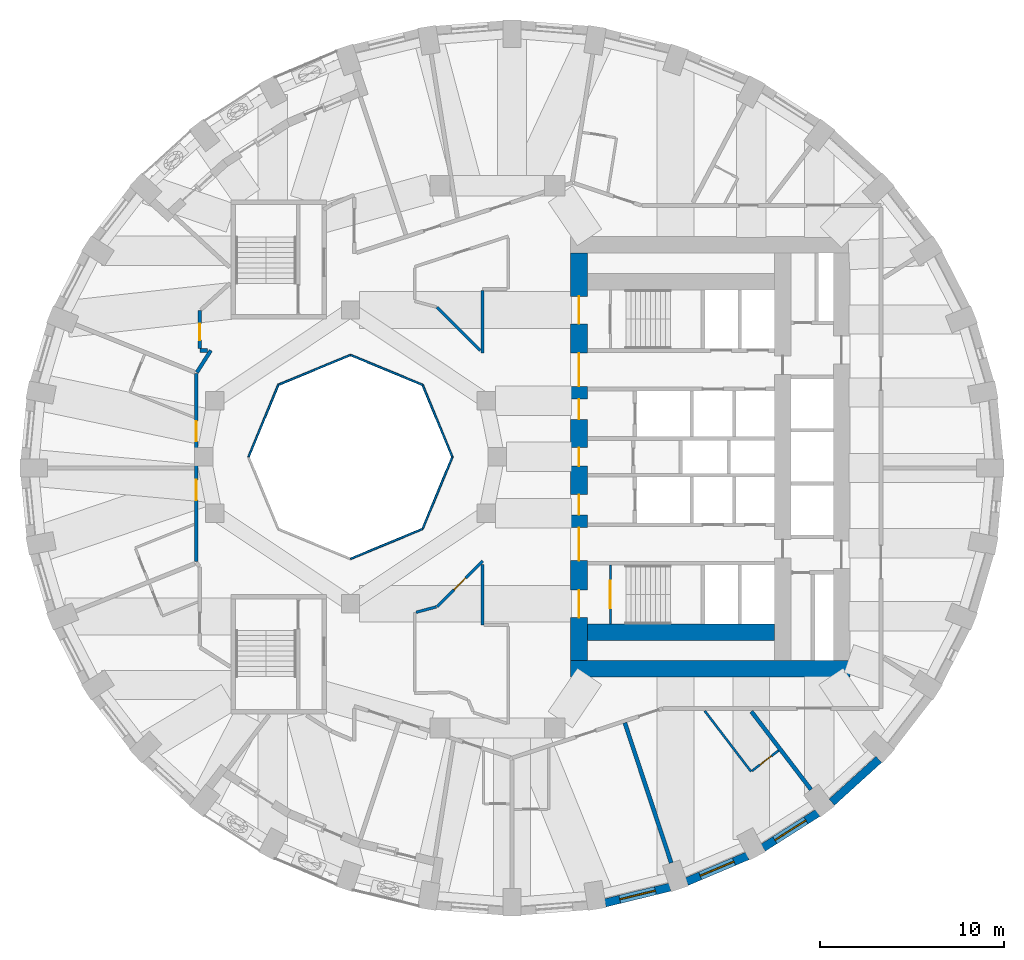
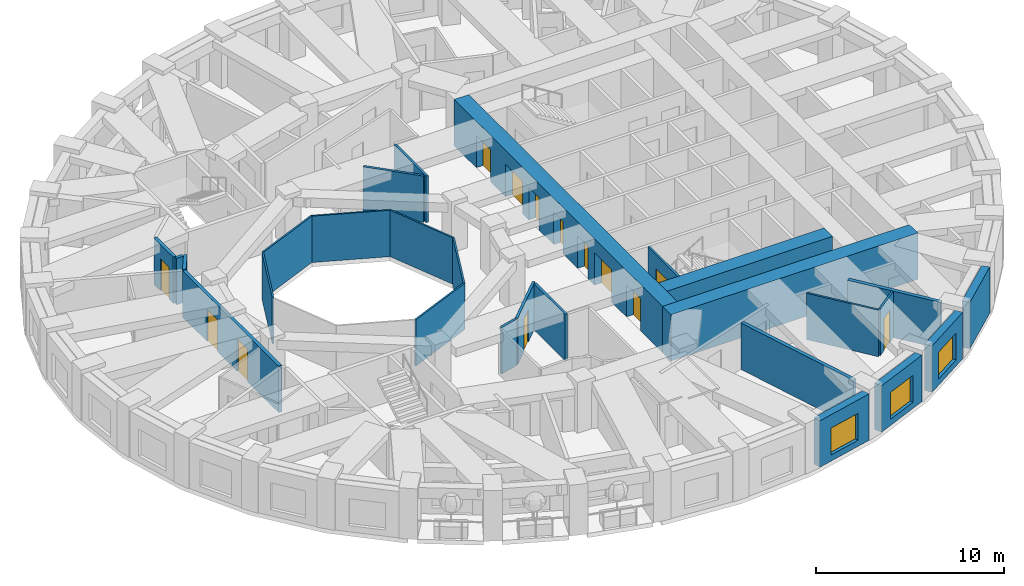
# One storey, part 5 of 12: 27 walls, 13 doors, 3 windows, 16 openings.
"""IFC4 building model written with IfcOpenShell, lengths in metres."""

from ifc_helpers import new_model, si_unit, direction, frame, frame_2d, origin, place, context, subcontext, project, spatial, rectangle, extrude, material, layer, layer_set, type_object, element, fill, save


model = new_model("IFC4")

# Units and contexts
model_context = context("Model", 3, precision=1e-05, world=origin(), true_north=direction((0.0, 1.0)))
body_context = subcontext(model_context, "Body", "Model", "MODEL_VIEW")
ifc_project = project(units=[si_unit("LENGTHUNIT", "METRE"), si_unit("AREAUNIT", "SQUARE_METRE"), si_unit("VOLUMEUNIT", "CUBIC_METRE"), si_unit("PLANEANGLEUNIT", "RADIAN"), si_unit("MASSUNIT", "GRAM", prefix="KILO")], contexts=[model_context])

# Site, building, storey
site_placement = place(None, origin())
site = spatial("IfcSite", under=ifc_project, at=site_placement, CompositionType="ELEMENT")
building_placement = place(site_placement, origin())
building = spatial("IfcBuilding", under=site, at=building_placement, Name="Taillehof Tower", CompositionType="ELEMENT")
storey_placement = place(building_placement, frame((0.0, 0.0, 121.89990234375)))
storey = spatial("IfcBuildingStorey", under=building, at=storey_placement, Name="L34", CompositionType="ELEMENT", Elevation=121.89990234375)

# Walls
ifc_material_1 = material(Name="Fire-resisting glass in steel frame", Category="steel")
ifc_layer_1 = layer(ifc_material_1, 0.10009765625)
ifc_layer_set_1 = layer_set([ifc_layer_1], Name="Atrium fire-resisting screen EI 60 100")
wall_type_1 = type_object("IfcWallType", Name="Atrium fire-resisting screen EI 60 100", PredefinedType="PARTITIONING", material=ifc_layer_set_1)
for number, where, z_axis, x_axis, name in (
    (1, (-2.44580078125, 0.0, 0.0), (0.0, 0.0, 1.0), (-0.382730523909, -0.923860025149, 0.0), "Atrium screen"),
    (2, (-4.07275390625, -3.92724609375, 0.0), (0.0, 0.0, 1.0), (-0.923860025149, -0.382730523909, 0.0), "Atrium screen"),
    (3, (-13.55419921875, 0.0, 0.0), (0.0, 0.0, 1.0), (0.382730523909, 0.923860025149, 0.0), "Atrium screen"),
    (4, (-11.92724609375, 3.92724609375, 0.0), (0.0, 0.0, 1.0), (0.923860025149, 0.382730523909, 0.0), "Atrium screen"),
    (5, (-8.0, 5.55419921875, 0.0), (0.0, 0.0, 1.0), (0.923860025149, -0.382730523909, 0.0), "Atrium screen"),
    (6, (-4.07275390625, 3.92724609375, 0.0), (0.0, 0.0, 1.0), (0.382730523909, -0.923860025149, 0.0), "Atrium screen"),
):
    element("IfcWall", number, at=place(storey_placement, frame(where, z_axis=z_axis, x_axis=x_axis)), inside=storey, type_object=wall_type_1, Name=name, PredefinedType="PARTITIONING", context=body_context, shape_type="SweptSolid", body=[
        extrude(rectangle(XDim=4.2509765625, YDim=0.10009765625, at=frame_2d((2.12548828125, 0.0))), origin(), (0.0, 0.0, 1.0), 3.02001953125),
    ])

# Wall, opening, window
ifc_material_2 = material(Name="Brick masonry", Category="masonry")
ifc_layer_2 = layer(ifc_material_2, 0.449951171875)
ifc_layer_set_2 = layer_set([ifc_layer_2], Name="Brick infill wall 450")
wall_type_2 = type_object("IfcWallType", Name="Brick infill wall 450", PredefinedType="SOLIDWALL", material=ifc_layer_set_2)
wall_1_placement = place(storey_placement, frame((5.87451171875, -24.29443359375, 0.0), z_axis=(0.0, 0.0, 1.0), x_axis=(0.971667603162, 0.236351579148, 0.0)))
wall_1 = element("IfcWall", 7, at=wall_1_placement, inside=storey, type_object=wall_type_2, Name="Brick wall L34 bay 29", PredefinedType="SOLIDWALL", context=body_context, shape_type="SweptSolid", body=[
    extrude(rectangle(XDim=3.635009765625, YDim=0.449951171875, at=frame_2d((1.8173828125, 0.0))), origin(), (0.0, 0.0, 1.0), 3.02001953125),
])
opening_1_placement = place(wall_1_placement, frame((0.8173828125, 0.0, 0.39990234375)))
opening_1 = element("IfcOpeningElement", 8, at=opening_1_placement, cuts=wall_1, Name="Opening W2", PredefinedType="OPENING", context=body_context, shape_type="SweptSolid", body=[
    extrude(rectangle(XDim=2.0, YDim=1.75, at=frame_2d((1.0, 0.875))), frame((0.0, 0.23486328125, 0.0), z_axis=(0.0, -1.0, 0.0), x_axis=(1.0, 0.0, 0.0)), (0.0, 0.0, 1.0), 0.469970703125),
])
ifc_material_3 = material(Name="Aluminium window frame with clear double glazing", Category="aluminium")
window_type = type_object("IfcWindowType", Name="Deep-set window 2000x1750", PartitioningType="SINGLE_PANEL", PredefinedType="WINDOW", material=ifc_material_3)
window_1_placement = place(opening_1_placement, origin())
window_1 = element("IfcWindow", 9, at=window_1_placement, inside=storey, type_object=window_type, Name="W2", OverallHeight=1.75, OverallWidth=2.0, PartitioningType="SINGLE_PANEL", PredefinedType="WINDOW", context=body_context, shape_type="SweptSolid", body=[
    extrude(rectangle(XDim=2.0, YDim=1.75, at=frame_2d((1.0, 0.875))), frame((0.0, 0.034912109375, 0.0), z_axis=(0.0, -1.0, 0.0), x_axis=(1.0, 0.0, 0.0)), (0.0, 0.0, 1.0), 0.06005859375),
])
fill(opening_1, window_1)

wall_2_placement = place(storey_placement, frame((10.318115234375, -23.133544921875, 0.0), z_axis=(0.0, 0.0, 1.0), x_axis=(0.920869643542, 0.389870619055, 0.0)))
wall_2 = element("IfcWall", 10, at=wall_2_placement, inside=storey, type_object=wall_type_2, Name="Brick wall L34 bay 30", PredefinedType="SOLIDWALL", context=body_context, shape_type="SweptSolid", body=[
    extrude(rectangle(XDim=3.59130859375, YDim=0.449951171875, at=frame_2d((1.795654296875, 0.0))), origin(), (0.0, 0.0, 1.0), 3.02001953125),
])
opening_2_placement = place(wall_2_placement, frame((0.795654296875, 0.0, 0.39990234375)))
opening_2 = element("IfcOpeningElement", 11, at=opening_2_placement, cuts=wall_2, Name="Opening W2", PredefinedType="OPENING", context=body_context, shape_type="SweptSolid", body=[
    extrude(rectangle(XDim=2.0, YDim=1.75, at=frame_2d((1.0, 0.875))), frame((0.0, 0.23486328125, 0.0), z_axis=(0.0, -1.0, 0.0), x_axis=(1.0, 0.0, 0.0)), (0.0, 0.0, 1.0), 0.469970703125),
])
window_2_placement = place(opening_2_placement, origin())
window_2 = element("IfcWindow", 12, at=window_2_placement, inside=storey, type_object=window_type, Name="W2", OverallHeight=1.75, OverallWidth=2.0, PartitioningType="SINGLE_PANEL", PredefinedType="WINDOW", context=body_context, shape_type="SweptSolid", body=[
    extrude(rectangle(XDim=2.0, YDim=1.75, at=frame_2d((1.0, 0.875))), frame((0.0, 0.034912109375, 0.0), z_axis=(0.0, -1.0, 0.0), x_axis=(1.0, 0.0, 0.0)), (0.0, 0.0, 1.0), 0.06005859375),
])
fill(opening_2, window_2)

wall_3_placement = place(storey_placement, frame((14.475341796875, -21.287109375, 0.0), z_axis=(0.0, 0.0, 1.0), x_axis=(0.843911841423, 0.536481876587, 0.0)))
wall_3 = element("IfcWall", 13, at=wall_3_placement, inside=storey, type_object=wall_type_2, Name="Brick wall L34 bay 31", PredefinedType="SOLIDWALL", context=body_context, shape_type="SweptSolid", body=[
    extrude(rectangle(XDim=3.5322265625, YDim=0.449951171875, at=frame_2d((1.76611328125, 0.0))), origin(), (0.0, 0.0, 1.0), 3.02001953125),
])
opening_3_placement = place(wall_3_placement, frame((0.76611328125, 0.0, 0.39990234375)))
opening_3 = element("IfcOpeningElement", 14, at=opening_3_placement, cuts=wall_3, Name="Opening W2", PredefinedType="OPENING", context=body_context, shape_type="SweptSolid", body=[
    extrude(rectangle(XDim=2.0, YDim=1.75, at=frame_2d((1.0, 0.875))), frame((0.0, 0.23486328125, 0.0), z_axis=(0.0, -1.0, 0.0), x_axis=(1.0, 0.0, 0.0)), (0.0, 0.0, 1.0), 0.469970703125),
])
window_3_placement = place(opening_3_placement, origin())
window_3 = element("IfcWindow", 15, at=window_3_placement, inside=storey, type_object=window_type, Name="W2", OverallHeight=1.75, OverallWidth=2.0, PartitioningType="SINGLE_PANEL", PredefinedType="WINDOW", context=body_context, shape_type="SweptSolid", body=[
    extrude(rectangle(XDim=2.0, YDim=1.75, at=frame_2d((1.0, 0.875))), frame((0.0, 0.034912109375, 0.0), z_axis=(0.0, -1.0, 0.0), x_axis=(1.0, 0.0, 0.0)), (0.0, 0.0, 1.0), 0.06005859375),
])
fill(opening_3, window_3)

# Wall
wall_4_placement = place(storey_placement, frame((18.219482421875, -18.8095703125, 0.0), z_axis=(0.0, 0.0, 1.0), x_axis=(0.740364106106, 0.672206062446, 0.0)))
element("IfcWall", 16, at=wall_4_placement, inside=storey, type_object=wall_type_2, Name="Brick wall L34 bay 32", PredefinedType="SOLIDWALL", context=body_context, shape_type="SweptSolid", body=[
    extrude(rectangle(XDim=3.4638671875, YDim=0.449951171875, at=frame_2d((1.73193359375, 0.0))), origin(), (0.0, 0.0, 1.0), 3.02001953125),
])

# Wall, openings, doors
ifc_material_4 = material(Name="Gypsum board on steel studs, two layers each side", Category="steel")
ifc_layer_3 = layer(ifc_material_4, 0.199951171875)
ifc_layer_set_3 = layer_set([ifc_layer_3], Name="Compartment wall corridor 200")
wall_type_3 = type_object("IfcWallType", Name="Compartment wall corridor 200", PredefinedType="PARTITIONING", material=ifc_layer_set_3)
wall_5_placement = place(storey_placement, frame((-16.398193359375, -5.69287109375, 0.0), z_axis=(0.0, 0.0, 1.0), x_axis=(0.0, 1.0, 0.0)))
wall_5 = element("IfcWall", 17, at=wall_5_placement, inside=storey, type_object=wall_type_3, Name="Compartment wall", PredefinedType="PARTITIONING", context=body_context, shape_type="SweptSolid", body=[
    extrude(rectangle(XDim=10.245849609375, YDim=0.199951171875, at=frame_2d((5.123046875, 0.0))), origin(), (0.0, 0.0, 1.0), 3.02001953125),
])
opening_4_placement = place(wall_5_placement, frame((6.53857421875, 0.0, 0.0)))
opening_4 = element("IfcOpeningElement", 18, at=opening_4_placement, cuts=wall_5, Name="Opening D3448", PredefinedType="OPENING", context=body_context, shape_type="SweptSolid", body=[
    extrude(rectangle(XDim=1.10009765625, YDim=2.10009765625, at=frame_2d((0.550048828125, 1.050048828125))), frame((0.0, 0.10986328125, 0.0), z_axis=(0.0, -1.0, 0.0), x_axis=(1.0, 0.0, 0.0)), (0.0, 0.0, 1.0), 0.219970703125),
])
opening_5_placement = place(wall_5_placement, frame((3.33740234375, 0.0, 0.0)))
opening_5 = element("IfcOpeningElement", 19, at=opening_5_placement, cuts=wall_5, Name="Opening D3450", PredefinedType="OPENING", context=body_context, shape_type="SweptSolid", body=[
    extrude(rectangle(XDim=1.10009765625, YDim=2.10009765625, at=frame_2d((0.550048828125, 1.050048828125))), frame((0.0, 0.10986328125, 0.0), z_axis=(0.0, -1.0, 0.0), x_axis=(1.0, 0.0, 0.0)), (0.0, 0.0, 1.0), 0.219970703125),
])
ifc_material_5 = material(Name="Timber door leaf in steel frame", Category="steel")
door_type_1 = type_object("IfcDoorType", Name="Accessible guest room door EI 30 1100 x 2100", OperationType="SINGLE_SWING_LEFT", PredefinedType="DOOR", material=ifc_material_5)
door_1_placement = place(opening_4_placement, origin())
door_1 = element("IfcDoor", 20, at=door_1_placement, inside=storey, type_object=door_type_1, Name="D3448", OperationType="SINGLE_SWING_RIGHT", OverallHeight=2.10009765625, OverallWidth=1.10009765625, PredefinedType="DOOR", context=body_context, shape_type="SweptSolid", body=[
    extrude(rectangle(XDim=1.10009765625, YDim=2.10009765625, at=frame_2d((0.550048828125, 1.050048828125))), frame((0.0, 0.02490234375, 0.0), z_axis=(0.0, -1.0, 0.0), x_axis=(1.0, 0.0, 0.0)), (0.0, 0.0, 1.0), 0.050048828125),
])
fill(opening_4, door_1)
ifc_material_6 = material(Name="Timber door leaf in steel frame", Category="steel")
door_type_2 = type_object("IfcDoorType", Name="Suite entrance door EI 30 1100 x 2100", OperationType="SINGLE_SWING_LEFT", PredefinedType="DOOR", material=ifc_material_6)
door_2_placement = place(opening_5_placement, origin())
door_2 = element("IfcDoor", 21, at=door_2_placement, inside=storey, type_object=door_type_2, Name="D3450", OperationType="SINGLE_SWING_RIGHT", OverallHeight=2.10009765625, OverallWidth=1.10009765625, PredefinedType="DOOR", context=body_context, shape_type="SweptSolid", body=[
    extrude(rectangle(XDim=1.10009765625, YDim=2.10009765625, at=frame_2d((0.550048828125, 1.050048828125))), frame((0.0, 0.02490234375, 0.0), z_axis=(0.0, -1.0, 0.0), x_axis=(1.0, 0.0, 0.0)), (0.0, 0.0, 1.0), 0.050048828125),
])
fill(opening_5, door_2)

# Walls
wall_6_placement = place(storey_placement, frame((-16.365966796875, 4.603515625, 0.0), z_axis=(0.0, 0.0, 1.0), x_axis=(0.536775234189, 0.843725279911, 0.0)))
element("IfcWall", 22, at=wall_6_placement, inside=storey, type_object=wall_type_3, Name="Compartment wall", PredefinedType="PARTITIONING", context=body_context, shape_type="SweptSolid", body=[
    extrude(rectangle(XDim=1.418212890625, YDim=0.199951171875, at=frame_2d((0.708984375, 0.0))), origin(), (0.0, 0.0, 1.0), 3.02001953125),
])
wall_7_placement = place(storey_placement, frame((-15.784912109375, 5.800048828125, 0.0), z_axis=(0.0, 0.0, 1.0), x_axis=(-1.0, 0.0, 0.0)))
element("IfcWall", 23, at=wall_7_placement, inside=storey, type_object=wall_type_3, Name="Compartment wall", PredefinedType="PARTITIONING", context=body_context, shape_type="SweptSolid", body=[
    extrude(rectangle(XDim=0.4150390625, YDim=0.199951171875, at=frame_2d((0.20751953125, 0.0))), origin(), (0.0, 0.0, 1.0), 3.02001953125),
])

# Wall, opening, door
wall_8_placement = place(storey_placement, frame((-16.199951171875, 5.900146484375, 0.0), z_axis=(0.0, 0.0, 1.0), x_axis=(0.0, 1.0, 0.0)))
wall_8 = element("IfcWall", 24, at=wall_8_placement, inside=storey, type_object=wall_type_3, Name="Compartment wall", PredefinedType="PARTITIONING", context=body_context, shape_type="SweptSolid", body=[
    extrude(rectangle(XDim=2.064697265625, YDim=0.199951171875, at=frame_2d((1.0322265625, 0.0))), origin(), (0.0, 0.0, 1.0), 3.02001953125),
])
opening_6_placement = place(wall_8_placement, frame((0.461669921875, 0.0, 0.0)))
opening_6 = element("IfcOpeningElement", 25, at=opening_6_placement, cuts=wall_8, Name="Opening D3447", PredefinedType="OPENING", context=body_context, shape_type="SweptSolid", body=[
    extrude(rectangle(XDim=0.89990234375, YDim=2.10009765625, at=frame_2d((0.449951171875, 1.050048828125))), frame((0.0, 0.10986328125, 0.0), z_axis=(0.0, -1.0, 0.0), x_axis=(1.0, 0.0, 0.0)), (0.0, 0.0, 1.0), 0.219970703125),
])
ifc_material_7 = material(Name="Timber door leaf in steel frame", Category="steel")
door_type_3 = type_object("IfcDoorType", Name="Service room door EI 30 900 x 2100", OperationType="SINGLE_SWING_LEFT", PredefinedType="DOOR", material=ifc_material_7)
door_3_placement = place(opening_6_placement, origin())
door_3 = element("IfcDoor", 26, at=door_3_placement, inside=storey, type_object=door_type_3, Name="D3447", OperationType="SINGLE_SWING_LEFT", OverallHeight=2.10009765625, OverallWidth=0.89990234375, PredefinedType="DOOR", context=body_context, shape_type="SweptSolid", body=[
    extrude(rectangle(XDim=0.89990234375, YDim=2.10009765625, at=frame_2d((0.449951171875, 1.050048828125))), frame((0.0, 0.02490234375, 0.0), z_axis=(0.0, -1.0, 0.0), x_axis=(1.0, 0.0, 0.0)), (0.0, 0.0, 1.0), 0.050048828125),
])
fill(opening_6, door_3)

# Walls
ifc_material_8 = material(Name="Gypsum board on double steel studs with mineral wool", Category="steel")
ifc_layer_4 = layer(ifc_material_8, 0.219970703125)
ifc_layer_set_4 = layer_set([ifc_layer_4], Name="Compartment wall guest room 220")
wall_type_4 = type_object("IfcWallType", Name="Compartment wall guest room 220", PredefinedType="PARTITIONING", material=ifc_layer_set_4)
wall_9_placement = place(storey_placement, frame((9.4736328125, -22.11181640625, 0.0), z_axis=(0.0, 0.0, 1.0), x_axis=(-0.314531362585, 0.949247081613, 0.0)))
element("IfcWall", 27, at=wall_9_placement, inside=storey, type_object=wall_type_4, Name="Compartment wall", PredefinedType="PARTITIONING", context=body_context, shape_type="SweptSolid", body=[
    extrude(rectangle(XDim=8.032958984375, YDim=0.219970703125, at=frame_2d((4.0166015625, 0.0))), origin(), (0.0, 0.0, 1.0), 3.02001953125),
])
wall_10_placement = place(storey_placement, frame((17.08935546875, -18.120849609375, 0.0), z_axis=(0.0, 0.0, 1.0), x_axis=(-0.607049146133, 0.794664290238, 0.0)))
element("IfcWall", 28, at=wall_10_placement, inside=storey, type_object=wall_type_4, Name="Compartment wall", PredefinedType="PARTITIONING", context=body_context, shape_type="SweptSolid", body=[
    extrude(rectangle(XDim=5.357421875, YDim=0.219970703125, at=frame_2d((2.6787109375, 0.0))), origin(), (0.0, 0.0, 1.0), 3.02001953125),
])
ifc_material_9 = material(Name="Gypsum board on steel studs, two layers each side", Category="steel")
ifc_layer_5 = layer(ifc_material_9, 0.14990234375)
ifc_layer_set_5 = layer_set([ifc_layer_5], Name="Compartment wall service room 150")
wall_type_5 = type_object("IfcWallType", Name="Compartment wall service room 150", PredefinedType="PARTITIONING", material=ifc_layer_set_5)
wall_11_placement = place(storey_placement, frame((-0.800048828125, 9.06982421875, 0.0), z_axis=(0.0, 0.0, 1.0), x_axis=(0.0, -1.0, 0.0)))
element("IfcWall", 29, at=wall_11_placement, inside=storey, type_object=wall_type_5, Name="Compartment wall", PredefinedType="PARTITIONING", context=body_context, shape_type="SweptSolid", body=[
    extrude(rectangle(XDim=3.400390625, YDim=0.14990234375, at=frame_2d((1.7001953125, 0.0))), origin(), (0.0, 0.0, 1.0), 3.02001953125),
])
wall_12_placement = place(storey_placement, frame((-0.927490234375, 5.796875, 0.0), z_axis=(0.0, 0.0, 1.0), x_axis=(-0.707106781187, 0.707106781187, 0.0)))
element("IfcWall", 30, at=wall_12_placement, inside=storey, type_object=wall_type_5, Name="Compartment wall", PredefinedType="PARTITIONING", context=body_context, shape_type="SweptSolid", body=[
    extrude(rectangle(XDim=3.340576171875, YDim=0.14990234375, at=frame_2d((1.67041015625, 0.0))), origin(), (0.0, 0.0, 1.0), 3.02001953125),
])

# Wall, opening, door
wall_13_placement = place(storey_placement, frame((-3.28955078125, -8.158935546875, 0.0), z_axis=(0.0, 0.0, 1.0), x_axis=(0.707106781187, 0.707106781187, 0.0)))
wall_13 = element("IfcWall", 31, at=wall_13_placement, inside=storey, type_object=wall_type_5, Name="Compartment wall", PredefinedType="PARTITIONING", context=body_context, shape_type="SweptSolid", body=[
    extrude(rectangle(XDim=3.520751953125, YDim=0.14990234375, at=frame_2d((1.76025390625, 0.0))), origin(), (0.0, 0.0, 1.0), 3.02001953125),
])
opening_7_placement = place(wall_13_placement, frame((1.310302734375, 0.0, 0.0)))
opening_7 = element("IfcOpeningElement", 32, at=opening_7_placement, cuts=wall_13, Name="Opening D3467", PredefinedType="OPENING", context=body_context, shape_type="SweptSolid", body=[
    extrude(rectangle(XDim=0.89990234375, YDim=2.10009765625, at=frame_2d((0.449951171875, 1.050048828125))), frame((0.0, 0.0849609375, 0.0), z_axis=(0.0, -1.0, 0.0), x_axis=(1.0, 0.0, 0.0)), (0.0, 0.0, 1.0), 0.169921875),
])
door_4_placement = place(opening_7_placement, origin())
door_4 = element("IfcDoor", 33, at=door_4_placement, inside=storey, type_object=door_type_3, Name="D3467", OperationType="SINGLE_SWING_LEFT", OverallHeight=2.10009765625, OverallWidth=0.89990234375, PredefinedType="DOOR", context=body_context, shape_type="SweptSolid", body=[
    extrude(rectangle(XDim=0.89990234375, YDim=2.10009765625, at=frame_2d((0.449951171875, 1.050048828125))), frame((0.0, 0.02490234375, 0.0), z_axis=(0.0, -1.0, 0.0), x_axis=(1.0, 0.0, 0.0)), (0.0, 0.0, 1.0), 0.050048828125),
])
fill(opening_7, door_4)

# Walls
wall_14_placement = place(storey_placement, frame((-0.800048828125, -5.849609375, 0.0), z_axis=(0.0, 0.0, 1.0), x_axis=(0.0, -1.0, 0.0)))
element("IfcWall", 34, at=wall_14_placement, inside=storey, type_object=wall_type_5, Name="Compartment wall", PredefinedType="PARTITIONING", context=body_context, shape_type="SweptSolid", body=[
    extrude(rectangle(XDim=3.30029296875, YDim=0.14990234375, at=frame_2d((1.650146484375, 0.0))), origin(), (0.0, 0.0, 1.0), 3.02001953125),
])
wall_15_placement = place(storey_placement, frame((-4.4228515625, -8.462646484375, 0.0), z_axis=(0.0, 0.0, 1.0), x_axis=(0.965898042479, 0.258922713439, 0.0)))
element("IfcWall", 35, at=wall_15_placement, inside=storey, type_object=wall_type_5, Name="Compartment wall", PredefinedType="PARTITIONING", context=body_context, shape_type="SweptSolid", body=[
    extrude(rectangle(XDim=1.13330078125, YDim=0.14990234375, at=frame_2d((0.566650390625, 0.0))), origin(), (0.0, 0.0, 1.0), 3.02001953125),
])

# Wall, openings, doors
ifc_material_10 = material(Name="Concrete C80/95", Category="concrete")
ifc_layer_6 = layer(ifc_material_10, 0.89990234375)
ifc_layer_set_6 = layer_set([ifc_layer_6], Name="Core wall C80/95 900")
wall_type_6 = type_object("IfcWallType", Name="Core wall C80/95 900", PredefinedType="SHEAR", material=ifc_layer_set_6)
wall_16_placement = place(storey_placement, frame((4.449951171875, -11.10009765625, 0.0), z_axis=(0.0, 0.0, 1.0), x_axis=(0.0, 1.0, 0.0)))
wall_16 = element("IfcWall", 36, at=wall_16_placement, inside=storey, type_object=wall_type_6, Name="Core wall CW01", PredefinedType="SHEAR", context=body_context, shape_type="SweptSolid", body=[
    extrude(rectangle(XDim=22.2001953125, YDim=0.89990234375, at=frame_2d((11.10009765625, 0.0))), origin(), (0.0, 0.0, 1.0), 3.02001953125),
])
opening_8_placement = place(wall_16_placement, frame((2.35009765625, 0.0, 0.0)))
opening_8 = element("IfcOpeningElement", 37, at=opening_8_placement, cuts=wall_16, Name="Opening D3401", PredefinedType="OPENING", context=body_context, shape_type="SweptSolid", body=[
    extrude(rectangle(XDim=1.5, YDim=2.10009765625, at=frame_2d((0.75, 1.050048828125))), frame((0.0, 0.4599609375, 0.0), z_axis=(0.0, -1.0, 0.0), x_axis=(1.0, 0.0, 0.0)), (0.0, 0.0, 1.0), 0.919921875),
])
opening_9_placement = place(wall_16_placement, frame((5.449951171875, 0.0, 0.0)))
opening_9 = element("IfcOpeningElement", 38, at=opening_9_placement, cuts=wall_16, Name="Opening D3402", PredefinedType="OPENING", context=body_context, shape_type="SweptSolid", body=[
    extrude(rectangle(XDim=1.800048828125, YDim=2.10009765625, at=frame_2d((0.89990234375, 1.050048828125))), frame((0.0, 0.4599609375, 0.0), z_axis=(0.0, -1.0, 0.0), x_axis=(1.0, 0.0, 0.0)), (0.0, 0.0, 1.0), 0.919921875),
])
opening_10_placement = place(wall_16_placement, frame((7.949951171875, 0.0, 0.0)))
opening_10 = element("IfcOpeningElement", 39, at=opening_10_placement, cuts=wall_16, Name="Opening D3403", PredefinedType="OPENING", context=body_context, shape_type="SweptSolid", body=[
    extrude(rectangle(XDim=1.10009765625, YDim=2.10009765625, at=frame_2d((0.550048828125, 1.050048828125))), frame((0.0, 0.4599609375, 0.0), z_axis=(0.0, -1.0, 0.0), x_axis=(1.0, 0.0, 0.0)), (0.0, 0.0, 1.0), 0.919921875),
])
opening_11_placement = place(wall_16_placement, frame((10.60009765625, 0.0, 0.0)))
opening_11 = element("IfcOpeningElement", 40, at=opening_11_placement, cuts=wall_16, Name="Opening D3404", PredefinedType="OPENING", context=body_context, shape_type="SweptSolid", body=[
    extrude(rectangle(XDim=1.0, YDim=2.10009765625, at=frame_2d((0.5, 1.050048828125))), frame((0.0, 0.4599609375, 0.0), z_axis=(0.0, -1.0, 0.0), x_axis=(1.0, 0.0, 0.0)), (0.0, 0.0, 1.0), 0.919921875),
])
opening_12_placement = place(wall_16_placement, frame((13.14990234375, 0.0, 0.0)))
opening_12 = element("IfcOpeningElement", 41, at=opening_12_placement, cuts=wall_16, Name="Opening D3405", PredefinedType="OPENING", context=body_context, shape_type="SweptSolid", body=[
    extrude(rectangle(XDim=1.10009765625, YDim=2.10009765625, at=frame_2d((0.550048828125, 1.050048828125))), frame((0.0, 0.4599609375, 0.0), z_axis=(0.0, -1.0, 0.0), x_axis=(1.0, 0.0, 0.0)), (0.0, 0.0, 1.0), 0.919921875),
])
opening_13_placement = place(wall_16_placement, frame((14.949951171875, 0.0, 0.0)))
opening_13 = element("IfcOpeningElement", 42, at=opening_13_placement, cuts=wall_16, Name="Opening D3406", PredefinedType="OPENING", context=body_context, shape_type="SweptSolid", body=[
    extrude(rectangle(XDim=1.800048828125, YDim=2.10009765625, at=frame_2d((0.89990234375, 1.050048828125))), frame((0.0, 0.4599609375, 0.0), z_axis=(0.0, -1.0, 0.0), x_axis=(1.0, 0.0, 0.0)), (0.0, 0.0, 1.0), 0.919921875),
])
opening_14_placement = place(wall_16_placement, frame((18.35009765625, 0.0, 0.0)))
opening_14 = element("IfcOpeningElement", 43, at=opening_14_placement, cuts=wall_16, Name="Opening D3407", PredefinedType="OPENING", context=body_context, shape_type="SweptSolid", body=[
    extrude(rectangle(XDim=1.5, YDim=2.10009765625, at=frame_2d((0.75, 1.050048828125))), frame((0.0, 0.4599609375, 0.0), z_axis=(0.0, -1.0, 0.0), x_axis=(1.0, 0.0, 0.0)), (0.0, 0.0, 1.0), 0.919921875),
])
ifc_material_11 = material(Name="Steel-faced fire door", Category="steel")
door_type_4 = type_object("IfcDoorType", Name="Firefighting lobby door 1100x2100", OperationType="SINGLE_SWING_RIGHT", PredefinedType="DOOR", material=ifc_material_11)
door_5_placement = place(opening_10_placement, origin())
door_5 = element("IfcDoor", 44, at=door_5_placement, inside=storey, type_object=door_type_4, Name="Firefighting lobby door FFL-S", OperationType="SINGLE_SWING_RIGHT", OverallHeight=2.10009765625, OverallWidth=1.10009765625, PredefinedType="DOOR", context=body_context, shape_type="SweptSolid", body=[
    extrude(rectangle(XDim=1.10009765625, YDim=2.10009765625, at=frame_2d((0.550048828125, 1.050048828125))), frame((0.0, 0.02490234375, 0.0), z_axis=(0.0, -1.0, 0.0), x_axis=(1.0, 0.0, 0.0)), (0.0, 0.0, 1.0), 0.050048828125),
])
fill(opening_10, door_5)
door_6_placement = place(opening_12_placement, origin())
door_6 = element("IfcDoor", 45, at=door_6_placement, inside=storey, type_object=door_type_4, Name="Firefighting lobby door FFL-N", OperationType="SINGLE_SWING_LEFT", OverallHeight=2.10009765625, OverallWidth=1.10009765625, PredefinedType="DOOR", context=body_context, shape_type="SweptSolid", body=[
    extrude(rectangle(XDim=1.10009765625, YDim=2.10009765625, at=frame_2d((0.550048828125, 1.050048828125))), frame((0.0, 0.02490234375, 0.0), z_axis=(0.0, -1.0, 0.0), x_axis=(1.0, 0.0, 0.0)), (0.0, 0.0, 1.0), 0.050048828125),
])
fill(opening_12, door_6)
ifc_material_12 = material(Name="Steel-faced fire door", Category="steel")
door_type_5 = type_object("IfcDoorType", Name="Lift lobby door 1800x2100", OperationType="DOUBLE_DOOR_SINGLE_SWING", PredefinedType="DOOR", material=ifc_material_12)
door_7_placement = place(opening_9_placement, origin())
door_7 = element("IfcDoor", 46, at=door_7_placement, inside=storey, type_object=door_type_5, Name="Lift lobby door LL-S", OperationType="DOUBLE_DOOR_SINGLE_SWING", OverallHeight=2.10009765625, OverallWidth=1.800048828125, PredefinedType="DOOR", context=body_context, shape_type="SweptSolid", body=[
    extrude(rectangle(XDim=1.800048828125, YDim=2.10009765625, at=frame_2d((0.89990234375, 1.050048828125))), frame((0.0, 0.02490234375, 0.0), z_axis=(0.0, -1.0, 0.0), x_axis=(1.0, 0.0, 0.0)), (0.0, 0.0, 1.0), 0.050048828125),
])
fill(opening_9, door_7)
door_8_placement = place(opening_13_placement, origin())
door_8 = element("IfcDoor", 47, at=door_8_placement, inside=storey, type_object=door_type_5, Name="Lift lobby door LL-N", OperationType="DOUBLE_DOOR_SINGLE_SWING", OverallHeight=2.10009765625, OverallWidth=1.800048828125, PredefinedType="DOOR", context=body_context, shape_type="SweptSolid", body=[
    extrude(rectangle(XDim=1.800048828125, YDim=2.10009765625, at=frame_2d((0.89990234375, 1.050048828125))), frame((0.0, 0.02490234375, 0.0), z_axis=(0.0, -1.0, 0.0), x_axis=(1.0, 0.0, 0.0)), (0.0, 0.0, 1.0), 0.050048828125),
])
fill(opening_13, door_8)
ifc_material_13 = material(Name="Steel-faced fire door", Category="steel")
door_type_6 = type_object("IfcDoorType", Name="Service door 1000x2100", OperationType="SINGLE_SWING_RIGHT", PredefinedType="DOOR", material=ifc_material_13)
door_9_placement = place(opening_11_placement, origin())
door_9 = element("IfcDoor", 48, at=door_9_placement, inside=storey, type_object=door_type_6, Name="Service door SV", OperationType="SINGLE_SWING_RIGHT", OverallHeight=2.10009765625, OverallWidth=1.0, PredefinedType="DOOR", context=body_context, shape_type="SweptSolid", body=[
    extrude(rectangle(XDim=1.0, YDim=2.10009765625, at=frame_2d((0.5, 1.050048828125))), frame((0.0, 0.02490234375, 0.0), z_axis=(0.0, -1.0, 0.0), x_axis=(1.0, 0.0, 0.0)), (0.0, 0.0, 1.0), 0.050048828125),
])
fill(opening_11, door_9)
ifc_material_14 = material(Name="Steel-faced fire door", Category="steel")
door_type_7 = type_object("IfcDoorType", Name="Stair door 1500x2100", OperationType="DOUBLE_DOOR_SINGLE_SWING", PredefinedType="DOOR", material=ifc_material_14)
door_10_placement = place(opening_8_placement, origin())
door_10 = element("IfcDoor", 49, at=door_10_placement, inside=storey, type_object=door_type_7, Name="Stair door S2", OperationType="DOUBLE_DOOR_SINGLE_SWING", OverallHeight=2.10009765625, OverallWidth=1.5, PredefinedType="DOOR", context=body_context, shape_type="SweptSolid", body=[
    extrude(rectangle(XDim=1.5, YDim=2.10009765625, at=frame_2d((0.75, 1.050048828125))), frame((0.0, 0.02490234375, 0.0), z_axis=(0.0, -1.0, 0.0), x_axis=(1.0, 0.0, 0.0)), (0.0, 0.0, 1.0), 0.050048828125),
])
fill(opening_8, door_10)
door_11_placement = place(opening_14_placement, origin())
door_11 = element("IfcDoor", 50, at=door_11_placement, inside=storey, type_object=door_type_7, Name="Stair door S1", OperationType="DOUBLE_DOOR_SINGLE_SWING", OverallHeight=2.10009765625, OverallWidth=1.5, PredefinedType="DOOR", context=body_context, shape_type="SweptSolid", body=[
    extrude(rectangle(XDim=1.5, YDim=2.10009765625, at=frame_2d((0.75, 1.050048828125))), frame((0.0, 0.02490234375, 0.0), z_axis=(0.0, -1.0, 0.0), x_axis=(1.0, 0.0, 0.0)), (0.0, 0.0, 1.0), 0.050048828125),
])
fill(opening_14, door_11)

# Walls
wall_17_placement = place(storey_placement, frame((4.0, -11.550048828125, 0.0), z_axis=(0.0, 0.0, 1.0), x_axis=(1.0, 0.0, 0.0)))
element("IfcWall", 51, at=wall_17_placement, inside=storey, type_object=wall_type_6, Name="Core wall CW04", PredefinedType="SHEAR", context=body_context, shape_type="SweptSolid", body=[
    extrude(rectangle(XDim=15.199951171875, YDim=0.89990234375, at=frame_2d((7.60009765625, 0.0))), origin(), (0.0, 0.0, 1.0), 3.02001953125),
])
wall_18_placement = place(storey_placement, frame((4.89990234375, -9.550048828125, 0.0), z_axis=(0.0, 0.0, 1.0), x_axis=(1.0, 0.0, 0.0)))
element("IfcWall", 52, at=wall_18_placement, inside=storey, type_object=wall_type_6, Name="Core wall CW07", PredefinedType="SHEAR", context=body_context, shape_type="SweptSolid", body=[
    extrude(rectangle(XDim=10.2001953125, YDim=0.89990234375, at=frame_2d((5.10009765625, 0.0))), origin(), (0.0, 0.0, 1.0), 3.02001953125),
])
ifc_material_15 = material(Name="Gypsum board on steel studs, moisture resistant", Category="steel")
ifc_layer_7 = layer(ifc_material_15, 0.1201171875)
ifc_layer_set_7 = layer_set([ifc_layer_7], Name="En-suite wall 120")
wall_type_7 = type_object("IfcWallType", Name="En-suite wall 120", PredefinedType="PARTITIONING", material=ifc_layer_set_7)
wall_19_placement = place(storey_placement, frame((11.2958984375, -13.831787109375, 0.0), z_axis=(0.0, 0.0, 1.0), x_axis=(0.607062475719, -0.794654107505, 0.0)))
element("IfcWall", 53, at=wall_19_placement, inside=storey, type_object=wall_type_7, Name="En-suite wall", PredefinedType="PARTITIONING", context=body_context, shape_type="SweptSolid", body=[
    extrude(rectangle(XDim=4.162109375, YDim=0.1201171875, at=frame_2d((2.0810546875, 0.0))), origin(), (0.0, 0.0, 1.0), 3.02001953125),
])

# Wall, opening, door
wall_20_placement = place(storey_placement, frame((13.8701171875, -17.102783203125, 0.0), z_axis=(0.0, 0.0, 1.0), x_axis=(0.794637937609, 0.607083641776, 0.0)))
wall_20 = element("IfcWall", 54, at=wall_20_placement, inside=storey, type_object=wall_type_7, Name="En-suite wall", PredefinedType="PARTITIONING", context=body_context, shape_type="SweptSolid", body=[
    extrude(rectangle(XDim=1.830078125, YDim=0.1201171875, at=frame_2d((0.9150390625, 0.0))), origin(), (0.0, 0.0, 1.0), 3.02001953125),
])
opening_15_placement = place(wall_20_placement, frame((0.5400390625, 0.0, 0.0)))
opening_15 = element("IfcOpeningElement", 55, at=opening_15_placement, cuts=wall_20, Name="Opening D3461", PredefinedType="OPENING", context=body_context, shape_type="SweptSolid", body=[
    extrude(rectangle(XDim=0.800048828125, YDim=2.10009765625, at=frame_2d((0.39990234375, 1.050048828125))), frame((0.0, 0.070068359375, 0.0), z_axis=(0.0, -1.0, 0.0), x_axis=(1.0, 0.0, 0.0)), (0.0, 0.0, 1.0), 0.14013671875),
])
ifc_material_16 = material(Name="Timber door leaf in steel frame", Category="steel")
door_type_8 = type_object("IfcDoorType", Name="En-suite door 800 x 2100", OperationType="SINGLE_SWING_LEFT", PredefinedType="DOOR", material=ifc_material_16)
door_12_placement = place(opening_15_placement, origin())
door_12 = element("IfcDoor", 56, at=door_12_placement, inside=storey, type_object=door_type_8, Name="D3461", OperationType="SINGLE_SWING_LEFT", OverallHeight=2.10009765625, OverallWidth=0.800048828125, PredefinedType="DOOR", context=body_context, shape_type="SweptSolid", body=[
    extrude(rectangle(XDim=0.800048828125, YDim=2.10009765625, at=frame_2d((0.39990234375, 1.050048828125))), frame((0.0, 0.02490234375, 0.0), z_axis=(0.0, -1.0, 0.0), x_axis=(1.0, 0.0, 0.0)), (0.0, 0.0, 1.0), 0.050048828125),
])
fill(opening_15, door_12)

ifc_material_17 = material(Name="Concrete C50/60", Category="concrete")
ifc_layer_8 = layer(ifc_material_17, 0.1201171875)
ifc_layer_set_8 = layer_set([ifc_layer_8], Name="Stair lobby wall C50/60 120")
wall_type_8 = type_object("IfcWallType", Name="Stair lobby wall C50/60 120", PredefinedType="SHEAR", material=ifc_layer_set_8)
wall_21_placement = place(storey_placement, frame((6.159912109375, -9.10009765625, 0.0), z_axis=(0.0, 0.0, 1.0), x_axis=(0.0, 1.0, 0.0)))
wall_21 = element("IfcWall", 57, at=wall_21_placement, inside=storey, type_object=wall_type_8, Name="Compartment wall SW", PredefinedType="SHEAR", context=body_context, shape_type="SweptSolid", body=[
    extrude(rectangle(XDim=3.2001953125, YDim=0.1201171875, at=frame_2d((1.60009765625, 0.0))), origin(), (0.0, 0.0, 1.0), 3.02001953125),
])
opening_16_placement = place(wall_21_placement, frame((0.85009765625, 0.0, 0.0)))
opening_16 = element("IfcOpeningElement", 58, at=opening_16_placement, cuts=wall_21, Name="Opening D3411", PredefinedType="OPENING", context=body_context, shape_type="SweptSolid", body=[
    extrude(rectangle(XDim=1.5, YDim=2.10009765625, at=frame_2d((0.75, 1.050048828125))), frame((0.0, 0.070068359375, 0.0), z_axis=(0.0, -1.0, 0.0), x_axis=(1.0, 0.0, 0.0)), (0.0, 0.0, 1.0), 0.14013671875),
])
door_13_placement = place(opening_16_placement, origin())
door_13 = element("IfcDoor", 59, at=door_13_placement, inside=storey, type_object=door_type_7, Name="Stair lobby door S2", OperationType="DOUBLE_DOOR_SINGLE_SWING", OverallHeight=2.10009765625, OverallWidth=1.5, PredefinedType="DOOR", context=body_context, shape_type="SweptSolid", body=[
    extrude(rectangle(XDim=1.5, YDim=2.10009765625, at=frame_2d((0.75, 1.050048828125))), frame((0.0, 0.02490234375, 0.0), z_axis=(0.0, -1.0, 0.0), x_axis=(1.0, 0.0, 0.0)), (0.0, 0.0, 1.0), 0.050048828125),
])
fill(opening_16, door_13)

save(model, "model.ifc")
